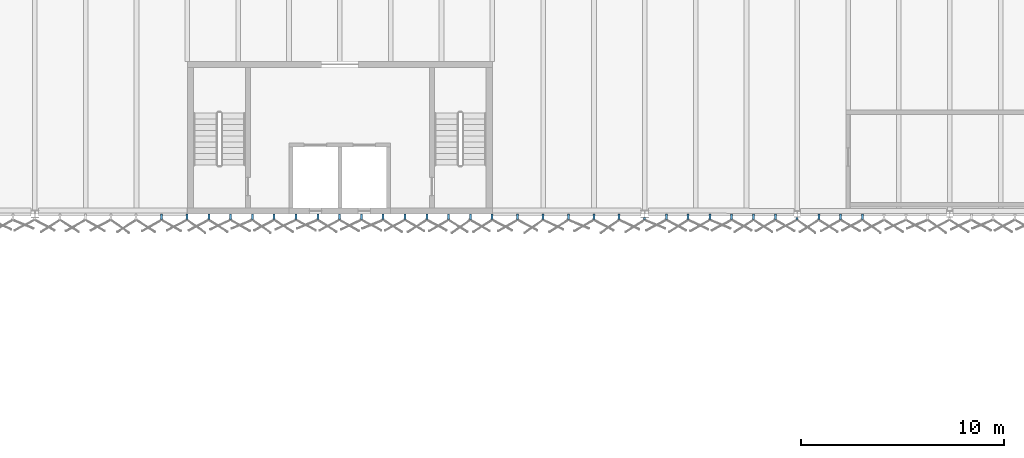
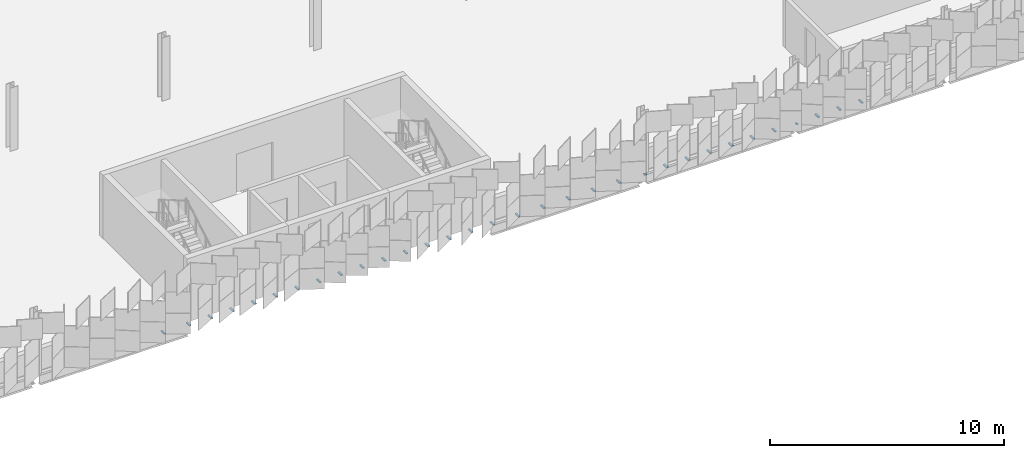
# One storey, part 165 of 198: 32 discrete accessories.
"""IFC4 building model written with IfcOpenShell, lengths in metres."""

from ifc_helpers import new_model, si_unit, direction, frame, origin, origin_2d, place, context, subcontext, project, spatial, rectangle, extrude, material, type_object, element, save


model = new_model("IFC4")

# Units and contexts
model_context = context("Model", 3, precision=1e-05, world=origin(), true_north=direction((0.0, 1.0)))
body_context = subcontext(model_context, "Body", "Model", "MODEL_VIEW")
ifc_project = project(units=[si_unit("LENGTHUNIT", "METRE"), si_unit("AREAUNIT", "SQUARE_METRE"), si_unit("VOLUMEUNIT", "CUBIC_METRE"), si_unit("PLANEANGLEUNIT", "RADIAN"), si_unit("MASSUNIT", "GRAM", prefix="KILO")], contexts=[model_context])

# Site, building, storey
site_placement = place(None, origin())
site = spatial("IfcSite", under=ifc_project, at=site_placement, CompositionType="ELEMENT")
building_placement = place(site_placement, origin())
building = spatial("IfcBuilding", under=site, at=building_placement, Name="Parallax Yard Mobility Hub", CompositionType="ELEMENT")
storey_placement = place(building_placement, frame((0.0, 0.0, 6.60009765625)))
storey = spatial("IfcBuildingStorey", under=building, at=storey_placement, Name="L02", CompositionType="ELEMENT", Elevation=6.60009765625)

# Discrete accessories
ifc_material = material(Name="Steel ASTM A36, hot-dip galvanised", Category="steel")
discrete_accessory_type = type_object("IfcDiscreteAccessoryType", Name="Hinge bracket plate 100x50", PredefinedType="BRACKET", material=ifc_material)
for number, where, z_axis, x_axis, name in (
    (1, (66.233642578125, 112.3583984375, -0.02490234375), (0.0, 0.0, 1.0), (0.0, -1.0, 0.0), "Hinge bracket plate bay 5.6 level L02"),
    (2, (67.48291015625, 112.3583984375, -0.02490234375), (0.0, 0.0, 1.0), (0.0, -1.0, 0.0), "Hinge bracket plate bay 6.1 level L02"),
    (3, (68.55517578125, 112.3583984375, -0.02490234375), (0.0, 0.0, 1.0), (0.0, -1.0, 0.0), "Hinge bracket plate bay 6.2 level L02"),
    (4, (69.627197265625, 112.3583984375, -0.02490234375), (0.0, 0.0, 1.0), (0.0, -1.0, 0.0), "Hinge bracket plate bay 6.3 level L02"),
    (5, (70.699462890625, 112.3583984375, -0.02490234375), (0.0, 0.0, 1.0), (0.0, -1.0, 0.0), "Hinge bracket plate bay 6.4 level L02"),
    (6, (71.771728515625, 112.3583984375, -0.02490234375), (0.0, 0.0, 1.0), (0.0, -1.0, 0.0), "Hinge bracket plate bay 6.5 level L02"),
    (7, (72.843994140625, 112.3583984375, -0.02490234375), (0.0, 0.0, 1.0), (0.0, -1.0, 0.0), "Hinge bracket plate bay 6.6 level L02"),
    (8, (73.916015625, 112.3583984375, -0.02490234375), (0.0, 0.0, 1.0), (0.0, -1.0, 0.0), "Hinge bracket plate bay 6.7 level L02"),
    (9, (74.98828125, 112.3583984375, -0.02490234375), (0.0, 0.0, 1.0), (0.0, -1.0, 0.0), "Hinge bracket plate bay 6.8 level L02"),
    (10, (76.060546875, 112.3583984375, -0.02490234375), (0.0, 0.0, 1.0), (0.0, -1.0, 0.0), "Hinge bracket plate bay 6.9 level L02"),
    (11, (77.1328125, 112.3583984375, -0.02490234375), (0.0, 0.0, 1.0), (0.0, -1.0, 0.0), "Hinge bracket plate bay 6.10 level L02"),
    (12, (78.205078125, 112.3583984375, -0.02490234375), (0.0, 0.0, 1.0), (0.0, -1.0, 0.0), "Hinge bracket plate bay 6.11 level L02"),
    (13, (79.277099609375, 112.3583984375, -0.02490234375), (0.0, 0.0, 1.0), (0.0, -1.0, 0.0), "Hinge bracket plate bay 6.12 level L02"),
    (14, (80.349365234375, 112.3583984375, -0.02490234375), (0.0, 0.0, 1.0), (0.0, -1.0, 0.0), "Hinge bracket plate bay 6.13 level L02"),
    (15, (81.421630859375, 112.3583984375, -0.02490234375), (0.0, 0.0, 1.0), (0.0, -1.0, 0.0), "Hinge bracket plate bay 6.14 level L02"),
    (16, (82.493896484375, 112.3583984375, -0.02490234375), (0.0, 0.0, 1.0), (0.0, -1.0, 0.0), "Hinge bracket plate bay 7.1 level L02"),
    (17, (83.7431640625, 112.3583984375, -0.02490234375), (0.0, 0.0, 1.0), (0.0, -1.0, 0.0), "Hinge bracket plate bay 7.2 level L02"),
    (18, (84.992431640625, 112.3583984375, -0.02490234375), (0.0, 0.0, 1.0), (0.0, -1.0, 0.0), "Hinge bracket plate bay 7.3 level L02"),
    (19, (86.24169921875, 112.3583984375, -0.02490234375), (0.0, 0.0, 1.0), (0.0, -1.0, 0.0), "Hinge bracket plate bay 7.4 level L02"),
    (20, (87.490966796875, 112.3583984375, -0.02490234375), (0.0, 0.0, 1.0), (0.0, -1.0, 0.0), "Hinge bracket plate bay 7.5 level L02"),
    (21, (88.739990234375, 112.3583984375, -0.02490234375), (0.0, 0.0, 1.0), (0.0, -1.0, 0.0), "Hinge bracket plate bay 7.6 level L02"),
):
    element("IfcDiscreteAccessory", number, at=place(storey_placement, frame(where, z_axis=z_axis, x_axis=x_axis)), inside=storey, type_object=discrete_accessory_type, Name=name, PredefinedType="BRACKET", context=body_context, shape_type="SweptSolid", body=[
        extrude(rectangle(XDim=0.2841796875, YDim=0.10009765625, at=origin_2d()), origin(), (0.0, 0.0, 1.0), 0.050048828125),
    ])
discrete_accessory_1_placement = place(storey_placement, frame((89.989501953125, 112.266357421875, -0.02490234375), z_axis=(0.0, 0.0, 1.0), x_axis=(0.0, -1.0, 0.0)))
element("IfcDiscreteAccessory", 22, at=discrete_accessory_1_placement, inside=storey, type_object=discrete_accessory_type, Name="Hinge bracket plate bay 8.1 level L02", PredefinedType="BRACKET", context=body_context, shape_type="SweptSolid", body=[
    extrude(rectangle(XDim=0.10009765625, YDim=0.10009765625, at=origin_2d()), origin(), (0.0, 0.0, 1.0), 0.050048828125),
])
for number, where, z_axis, x_axis, name in (
    (23, (91.060791015625, 112.3583984375, -0.02490234375), (0.0, 0.0, 1.0), (0.0, -1.0, 0.0), "Hinge bracket plate bay 8.2 level L02"),
    (24, (92.13232421875, 112.3583984375, -0.02490234375), (0.0, 0.0, 1.0), (0.0, -1.0, 0.0), "Hinge bracket plate bay 8.3 level L02"),
    (25, (93.203857421875, 112.3583984375, -0.02490234375), (0.0, 0.0, 1.0), (0.0, -1.0, 0.0), "Hinge bracket plate bay 8.4 level L02"),
    (26, (94.275390625, 112.3583984375, -0.02490234375), (0.0, 0.0, 1.0), (0.0, -1.0, 0.0), "Hinge bracket plate bay 8.5 level L02"),
    (27, (95.346923828125, 112.3583984375, -0.02490234375), (0.0, 0.0, 1.0), (0.0, -1.0, 0.0), "Hinge bracket plate bay 8.6 level L02"),
    (28, (96.41845703125, 112.3583984375, -0.02490234375), (0.0, 0.0, 1.0), (0.0, -1.0, 0.0), "Hinge bracket plate bay 8.7 level L02"),
):
    element("IfcDiscreteAccessory", number, at=place(storey_placement, frame(where, z_axis=z_axis, x_axis=x_axis)), inside=storey, type_object=discrete_accessory_type, Name=name, PredefinedType="BRACKET", context=body_context, shape_type="SweptSolid", body=[
        extrude(rectangle(XDim=0.2841796875, YDim=0.10009765625, at=origin_2d()), origin(), (0.0, 0.0, 1.0), 0.050048828125),
    ])
discrete_accessory_2_placement = place(storey_placement, frame((97.489990234375, 112.28173828125, -0.02490234375), z_axis=(0.0, 0.0, 1.0), x_axis=(0.0, -1.0, 0.0)))
element("IfcDiscreteAccessory", 29, at=discrete_accessory_2_placement, inside=storey, type_object=discrete_accessory_type, Name="Hinge bracket plate bay 9.1 level L02", PredefinedType="BRACKET", context=body_context, shape_type="SweptSolid", body=[
    extrude(rectangle(XDim=0.130615234375, YDim=0.10009765625, at=origin_2d()), origin(), (0.0, 0.0, 1.0), 0.050048828125),
])
for number, where, z_axis, x_axis, name in (
    (30, (98.561279296875, 112.3583984375, -0.02490234375), (0.0, 0.0, 1.0), (0.0, -1.0, 0.0), "Hinge bracket plate bay 9.2 level L02"),
    (31, (99.6328125, 112.3583984375, -0.02490234375), (0.0, 0.0, 1.0), (0.0, -1.0, 0.0), "Hinge bracket plate bay 9.3 level L02"),
    (32, (100.704345703125, 112.3583984375, -0.02490234375), (0.0, 0.0, 1.0), (0.0, -1.0, 0.0), "Hinge bracket plate bay 9.4 level L02"),
):
    element("IfcDiscreteAccessory", number, at=place(storey_placement, frame(where, z_axis=z_axis, x_axis=x_axis)), inside=storey, type_object=discrete_accessory_type, Name=name, PredefinedType="BRACKET", context=body_context, shape_type="SweptSolid", body=[
        extrude(rectangle(XDim=0.2841796875, YDim=0.10009765625, at=origin_2d()), origin(), (0.0, 0.0, 1.0), 0.050048828125),
    ])

save(model, "model.ifc")
